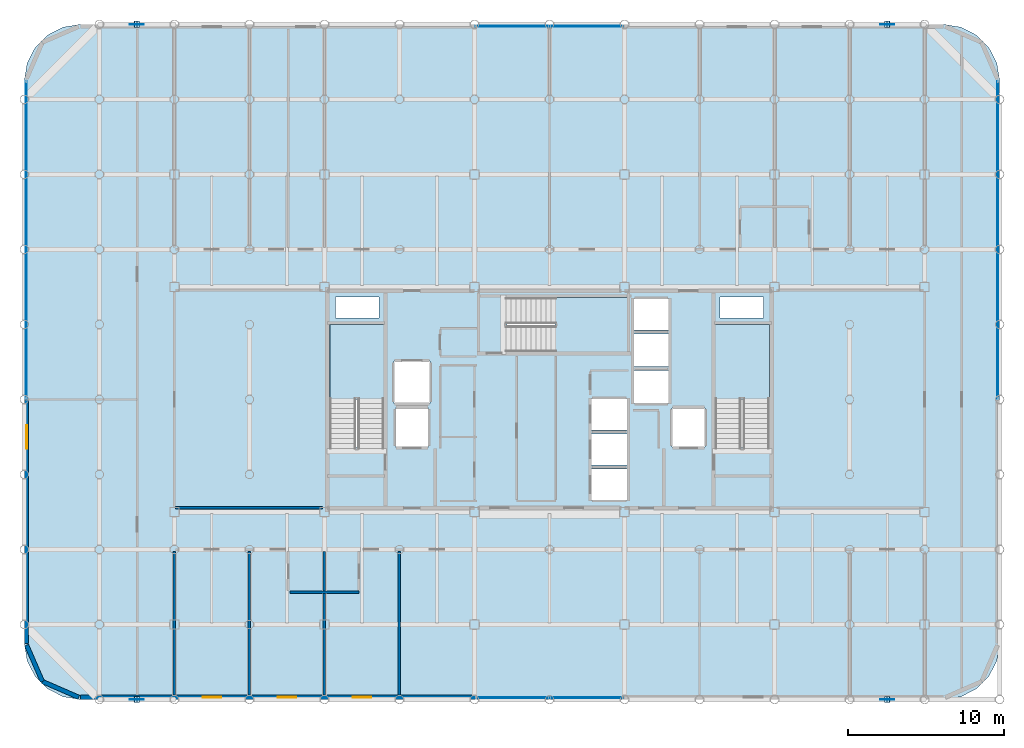
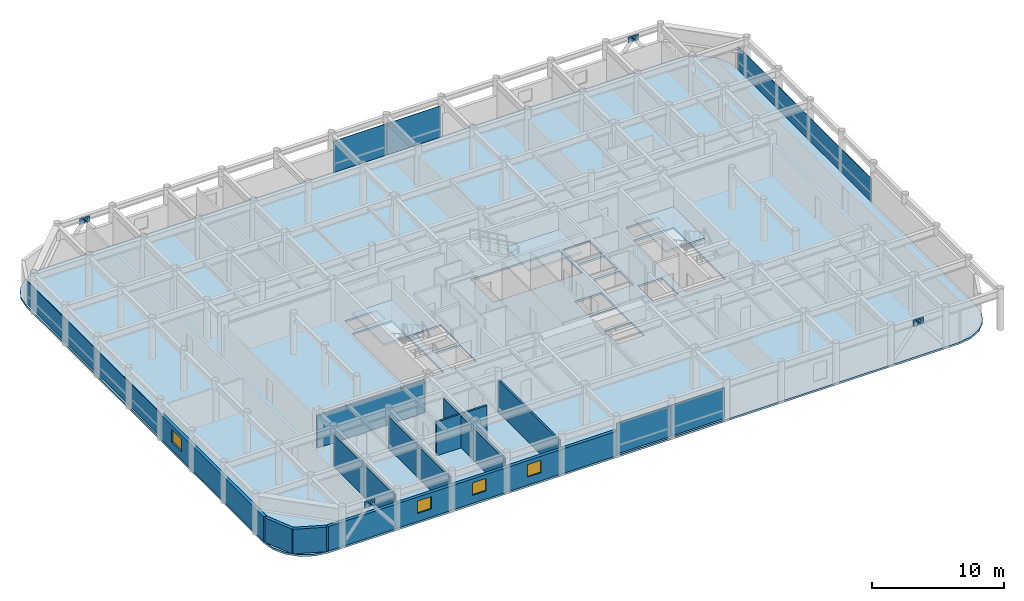
# One storey, part 17 of 22: 18 plates, 10 walls, 4 slabs, 4 windows, 4 openings, 7 elements without a shape of their own.
"""IFC4 building model written with IfcOpenShell, lengths in metres."""

from ifc_helpers import new_model, si_unit, direction, frame, frame_2d, origin, origin_2d, place, context, subcontext, project, spatial, polyline, rectangle, outline, extrude, material, layer, layer_set, type_object, element, fill, aggregate, save


model = new_model("IFC4")

# Units and contexts
model_context = context("Model", 3, precision=1e-05, world=origin(), true_north=direction((0.0, 1.0)))
body_context = subcontext(model_context, "Body", "Model", "MODEL_VIEW")
ifc_project = project(units=[si_unit("LENGTHUNIT", "METRE"), si_unit("AREAUNIT", "SQUARE_METRE"), si_unit("VOLUMEUNIT", "CUBIC_METRE"), si_unit("PLANEANGLEUNIT", "RADIAN"), si_unit("MASSUNIT", "GRAM", prefix="KILO")], contexts=[model_context])

# Site, building, storey
site_placement = place(None, origin())
site = spatial("IfcSite", under=ifc_project, at=site_placement, CompositionType="ELEMENT")
building_placement = place(site_placement, origin())
building = spatial("IfcBuilding", under=site, at=building_placement, Name="Kallvorn Hotel Tower", CompositionType="ELEMENT")
storey_placement = place(building_placement, frame((0.0, 0.0, 260.800048828125)))
storey = spatial("IfcBuildingStorey", under=building, at=storey_placement, Name="L65", CompositionType="ELEMENT", Elevation=260.800048828125)

# Curtain wall, plates
ifc_material_1 = material(Name="Thermally broken black-anodised aluminium AA 6063-T6", Category="aluminium")
ifc_layer_1 = layer(ifc_material_1, 0.22998046875)
ifc_layer_set_1 = layer_set([ifc_layer_1], Name="CW_SYS_5_HOTEL_HIGH")
curtain_wall_type = type_object("IfcCurtainWallType", Name="CW_SYS_5_HOTEL_HIGH", PredefinedType="USERDEFINED", material=ifc_layer_set_1)
curtain_wall_1_placement = place(storey_placement, origin())
curtain_wall_1 = element("IfcCurtainWall", 1, at=curtain_wall_1_placement, inside=storey, type_object=curtain_wall_type, Name="L65 Dark-Glass Curtain Wall CW-L65-SC", ObjectType="UNITISED CURTAIN WALL", PredefinedType="USERDEFINED")
ifc_material_2 = material(Name="Triple-glazed low-e acoustic solar-control dark glass", Category="glass")
ifc_layer_2 = layer(ifc_material_2, 0.04150390625)
ifc_layer_set_2 = layer_set([ifc_layer_2], Name="CW_SYS_5_HOTEL_HIGH_PANEL")
plate_type_1 = type_object("IfcPlateType", Name="CW_SYS_5_HOTEL_HIGH_PANEL", PredefinedType="CURTAIN_PANEL", material=ifc_layer_set_2)
plate_1_placement = place(storey_placement, frame((-2.375, -19.080078125, 0.059814453125), z_axis=(0.0, 0.0, 1.0), x_axis=(1.0, 0.0, 0.0)))
plate_1 = element("IfcPlate", 2, at=plate_1_placement, type_object=plate_type_1, Name="CW-L65-SC Vision Glass Panel 00", PredefinedType="CURTAIN_PANEL", context=body_context, shape_type="SweptSolid", body=[
    extrude(rectangle(XDim=4.68994140625, YDim=0.04150390625, at=origin_2d()), origin(), (0.0, 0.0, 1.0), 2.85009765625),
])
plate_2_placement = place(storey_placement, frame((2.375, -19.080078125, 0.059814453125), z_axis=(0.0, 0.0, 1.0), x_axis=(1.0, 0.0, 0.0)))
plate_2 = element("IfcPlate", 3, at=plate_2_placement, type_object=plate_type_1, Name="CW-L65-SC Vision Glass Panel 01", PredefinedType="CURTAIN_PANEL", context=body_context, shape_type="SweptSolid", body=[
    extrude(rectangle(XDim=4.68994140625, YDim=0.04150390625, at=origin_2d()), origin(), (0.0, 0.0, 1.0), 2.85009765625),
])
aggregate(curtain_wall_1, [plate_1, plate_2])

curtain_wall_2_placement = place(storey_placement, origin())
curtain_wall_2 = element("IfcCurtainWall", 4, at=curtain_wall_2_placement, inside=storey, type_object=curtain_wall_type, Name="L65 Dark-Glass Curtain Wall CW-L65-NC", ObjectType="UNITISED CURTAIN WALL", PredefinedType="USERDEFINED")
plate_3_placement = place(storey_placement, frame((-2.375, 23.8798828125, 0.06005859375), z_axis=(0.0, 0.0, 1.0), x_axis=(1.0, 0.0, 0.0)))
plate_3 = element("IfcPlate", 5, at=plate_3_placement, type_object=plate_type_1, Name="CW-L65-NC Vision Glass Panel 00", PredefinedType="CURTAIN_PANEL", context=body_context, shape_type="SweptSolid", body=[
    extrude(rectangle(XDim=4.68994140625, YDim=0.04150390625, at=origin_2d()), origin(), (0.0, 0.0, 1.0), 2.89990234375),
])
plate_4_placement = place(storey_placement, frame((2.375, 23.8798828125, 0.06005859375), z_axis=(0.0, 0.0, 1.0), x_axis=(1.0, 0.0, 0.0)))
plate_4 = element("IfcPlate", 6, at=plate_4_placement, type_object=plate_type_1, Name="CW-L65-NC Vision Glass Panel 01", PredefinedType="CURTAIN_PANEL", context=body_context, shape_type="SweptSolid", body=[
    extrude(rectangle(XDim=4.68994140625, YDim=0.04150390625, at=origin_2d()), origin(), (0.0, 0.0, 1.0), 2.89990234375),
])
aggregate(curtain_wall_2, [plate_3, plate_4])

# Curtain wall, plate
curtain_wall_3_placement = place(storey_placement, origin())
curtain_wall_3 = element("IfcCurtainWall", 7, at=curtain_wall_3_placement, inside=storey, type_object=curtain_wall_type, Name="L65 Dark-Glass Curtain Wall CW-L65-WN", ObjectType="UNITISED CURTAIN WALL", PredefinedType="USERDEFINED")
plate_5_placement = place(storey_placement, frame((-33.47998046875, 10.2099609375, 0.06005859375), z_axis=(0.0, 0.0, 1.0), x_axis=(0.0, 1.0, 0.0)))
plate_5 = element("IfcPlate", 8, at=plate_5_placement, type_object=plate_type_1, Name="CW-L65-WN Vision Glass Panel 00", PredefinedType="CURTAIN_PANEL", context=body_context, shape_type="SweptSolid", body=[
    extrude(rectangle(XDim=20.320068359375, YDim=0.04150390625, at=origin_2d()), origin(), (0.0, 0.0, 1.0), 2.14990234375),
])
aggregate(curtain_wall_3, [plate_5])

curtain_wall_4_placement = place(storey_placement, origin())
curtain_wall_4 = element("IfcCurtainWall", 9, at=curtain_wall_4_placement, inside=storey, type_object=curtain_wall_type, Name="L65 Dark-Glass Curtain Wall CW-L65-EN", ObjectType="UNITISED CURTAIN WALL", PredefinedType="USERDEFINED")
plate_6_placement = place(storey_placement, frame((28.679931640625, 10.2099609375, 0.06005859375), z_axis=(0.0, 0.0, 1.0), x_axis=(0.0, 1.0, 0.0)))
plate_6 = element("IfcPlate", 10, at=plate_6_placement, type_object=plate_type_1, Name="CW-L65-EN Vision Glass Panel 00", PredefinedType="CURTAIN_PANEL", context=body_context, shape_type="SweptSolid", body=[
    extrude(rectangle(XDim=20.320068359375, YDim=0.04150390625, at=origin_2d()), origin(), (0.0, 0.0, 1.0), 2.14990234375),
])
aggregate(curtain_wall_4, [plate_6])

# Plates
ifc_material_3 = material(Name="Structural steel S355JR", Category="steel")
ifc_layer_3 = layer(ifc_material_3, 0.030029296875)
ifc_layer_set_3 = layer_set([ifc_layer_3], Name="PLT_CAP_30")
plate_type_2 = type_object("IfcPlateType", Name="PLT_CAP_30", PredefinedType="SHEET", material=ifc_layer_set_3)
plate_7_placement = place(storey_placement, frame((-26.235595703125, -19.40185546875, 3.09228515625), z_axis=(0.621445895256, 0.0, 0.783457081957), x_axis=(0.0, 1.0, 0.0)))
element("IfcPlate", 11, at=plate_7_placement, inside=storey, type_object=plate_type_2, Name="EXO-L65-S1A End Cap Plate B", PredefinedType="SHEET", context=body_context, shape_type="SweptSolid", body=[
    extrude(outline(polyline([(0.0, 0.0), (0.40380859375, 0.0), (0.40380859375, 0.40385907190922293), (0.0, 0.40385907190922293), (0.0, 0.0)])), origin(), (0.0, 0.0, -1.0), 0.030029296875),
])
plate_8_placement = place(storey_placement, frame((-26.564453125, -18.998046875, 3.09228515625), z_axis=(-0.621151664719, 0.0, 0.783690378541), x_axis=(0.0, -1.0, 0.0)))
element("IfcPlate", 12, at=plate_8_placement, inside=storey, type_object=plate_type_2, Name="EXO-L65-S1B End Cap Plate B", PredefinedType="SHEET", context=body_context, shape_type="SweptSolid", body=[
    extrude(outline(polyline([(0.0, 0.0), (0.40380859375, 0.0), (0.40380859375, 0.4040503740962029), (0.0, 0.4040503740962029), (0.0, 0.0)])), origin(), (0.0, 0.0, -1.0), 0.030029296875),
])
plate_9_placement = place(storey_placement, frame((21.764404296875, -19.40185546875, 3.09228515625), z_axis=(0.621445895256, 0.0, 0.783457081957), x_axis=(0.0, 1.0, 0.0)))
element("IfcPlate", 13, at=plate_9_placement, inside=storey, type_object=plate_type_2, Name="EXO-L65-S2A End Cap Plate B", PredefinedType="SHEET", context=body_context, shape_type="SweptSolid", body=[
    extrude(outline(polyline([(0.0, 0.0), (0.40380859375, 0.0), (0.40380859375, 0.40385907190922293), (0.0, 0.40385907190922293), (0.0, 0.0)])), origin(), (0.0, 0.0, -1.0), 0.030029296875),
])
plate_10_placement = place(storey_placement, frame((21.435546875, -18.998046875, 3.09228515625), z_axis=(-0.621151664719, 0.0, 0.783690378541), x_axis=(0.0, -1.0, 0.0)))
element("IfcPlate", 14, at=plate_10_placement, inside=storey, type_object=plate_type_2, Name="EXO-L65-S2B End Cap Plate B", PredefinedType="SHEET", context=body_context, shape_type="SweptSolid", body=[
    extrude(outline(polyline([(0.0, 0.0), (0.40380859375, 0.0), (0.40380859375, 0.4040503740962029), (0.0, 0.4040503740962029), (0.0, 0.0)])), origin(), (0.0, 0.0, -1.0), 0.030029296875),
])
plate_11_placement = place(storey_placement, frame((-26.235595703125, 23.798095703125, 3.09228515625), z_axis=(0.621445895256, 0.0, 0.783457081957), x_axis=(0.0, 1.0, 0.0)))
element("IfcPlate", 15, at=plate_11_placement, inside=storey, type_object=plate_type_2, Name="EXO-L65-N1A End Cap Plate B", PredefinedType="SHEET", context=body_context, shape_type="SweptSolid", body=[
    extrude(outline(polyline([(0.0, 0.0), (0.40380859375, 0.0), (0.40380859375, 0.40385907190922293), (0.0, 0.40385907190922293), (0.0, 0.0)])), origin(), (0.0, 0.0, -1.0), 0.030029296875),
])
plate_12_placement = place(storey_placement, frame((-26.564453125, 24.201904296875, 3.09228515625), z_axis=(-0.621151664719, 0.0, 0.783690378541), x_axis=(0.0, -1.0, 0.0)))
element("IfcPlate", 16, at=plate_12_placement, inside=storey, type_object=plate_type_2, Name="EXO-L65-N1B End Cap Plate B", PredefinedType="SHEET", context=body_context, shape_type="SweptSolid", body=[
    extrude(outline(polyline([(0.0, 0.0), (0.40380859375, 0.0), (0.40380859375, 0.4040503740962029), (0.0, 0.4040503740962029), (0.0, 0.0)])), origin(), (0.0, 0.0, -1.0), 0.030029296875),
])
plate_13_placement = place(storey_placement, frame((21.764404296875, 23.798095703125, 3.09228515625), z_axis=(0.621445895256, 0.0, 0.783457081957), x_axis=(0.0, 1.0, 0.0)))
element("IfcPlate", 17, at=plate_13_placement, inside=storey, type_object=plate_type_2, Name="EXO-L65-N2A End Cap Plate B", PredefinedType="SHEET", context=body_context, shape_type="SweptSolid", body=[
    extrude(outline(polyline([(0.0, 0.0), (0.40380859375, 0.0), (0.40380859375, 0.40385907190922293), (0.0, 0.40385907190922293), (0.0, 0.0)])), origin(), (0.0, 0.0, -1.0), 0.030029296875),
])
plate_14_placement = place(storey_placement, frame((21.435546875, 24.201904296875, 3.09228515625), z_axis=(-0.621151664719, 0.0, 0.783690378541), x_axis=(0.0, -1.0, 0.0)))
element("IfcPlate", 18, at=plate_14_placement, inside=storey, type_object=plate_type_2, Name="EXO-L65-N2B End Cap Plate B", PredefinedType="SHEET", context=body_context, shape_type="SweptSolid", body=[
    extrude(outline(polyline([(0.0, 0.0), (0.40380859375, 0.0), (0.40380859375, 0.4040503740962029), (0.0, 0.4040503740962029), (0.0, 0.0)])), origin(), (0.0, 0.0, -1.0), 0.030029296875),
])
ifc_material_4 = material(Name="Structural steel S355JR", Category="steel")
ifc_layer_4 = layer(ifc_material_4, 0.034912109375)
ifc_layer_set_4 = layer_set([ifc_layer_4], Name="PLT_GUSSET_35")
plate_type_3 = type_object("IfcPlateType", Name="PLT_GUSSET_35", PredefinedType="USERDEFINED", material=ifc_layer_set_4)
for number, where, z_axis, x_axis, name in (
    (19, (-26.39990234375, -19.199951171875, 2.889892578125), (0.0, 0.0, 1.0), (1.0, 0.0, 0.0), "L65 Exoskeleton Node Gusset S1"),
    (20, (21.60009765625, -19.199951171875, 2.889892578125), (0.0, 0.0, 1.0), (1.0, 0.0, 0.0), "L65 Exoskeleton Node Gusset S2"),
    (21, (-26.39990234375, 24.0, 2.889892578125), (0.0, 0.0, 1.0), (1.0, 0.0, 0.0), "L65 Exoskeleton Node Gusset N1"),
    (22, (21.60009765625, 24.0, 2.889892578125), (0.0, 0.0, 1.0), (1.0, 0.0, 0.0), "L65 Exoskeleton Node Gusset N2"),
):
    element("IfcPlate", number, at=place(storey_placement, frame(where, z_axis=z_axis, x_axis=x_axis)), inside=storey, type_object=plate_type_3, Name=name, ObjectType="GUSSET PLATE", PredefinedType="USERDEFINED", context=body_context, shape_type="SweptSolid", body=[
        extrude(rectangle(XDim=0.89990234375, YDim=0.034912109375, at=origin_2d()), origin(), (0.0, 0.0, 1.0), 0.56005859375),
    ])

# Stair, slab
ifc_material_5 = material(Name="Precast concrete C40/50", Category="concrete")
stair_type = type_object("IfcStairType", Name="STR_CORE_DOGLEG", PredefinedType="HALF_TURN_STAIR", material=ifc_material_5)
stair_1_placement = place(storey_placement, origin())
stair_1 = element("IfcStair", 23, at=stair_1_placement, inside=storey, type_object=stair_type, Name="L65 Exit stair ST1", PredefinedType="HALF_TURN_STAIR")
ifc_material_6 = material(Name="Precast concrete C40/50", Category="concrete")
ifc_layer_5 = layer(ifc_material_6, 0.179931640625)
ifc_layer_set_5 = layer_set([ifc_layer_5], Name="SLB_LANDING_180")
slab_type_1 = type_object("IfcSlabType", Name="SLB_LANDING_180", PredefinedType="LANDING", material=ifc_layer_set_5)
slab_1_placement = place(storey_placement, frame((0.0, 0.0, 1.724853515625)))
slab_1 = element("IfcSlab", 24, at=slab_1_placement, type_object=slab_type_1, Name="ST1 landing 1", PredefinedType="LANDING", context=body_context, shape_type="SweptSolid", body=[
    extrude(outline(polyline([(-10.60009765625, 0.010009765625), (-10.60009765625, 4.800048828125), (-14.06005859375, 4.800048828125), (-14.06005859375, 0.010009765625), (-10.60009765625, 0.010009765625)])), origin(), (0.0, 0.0, 1.0), 0.2001953125),
])
aggregate(stair_1, [slab_1])

stair_2_placement = place(storey_placement, origin())
stair_2 = element("IfcStair", 25, at=stair_2_placement, inside=storey, type_object=stair_type, Name="L65 Exit stair ST2", PredefinedType="HALF_TURN_STAIR")
slab_2_placement = place(storey_placement, frame((0.0, 0.0, 1.724853515625)))
slab_2 = element("IfcSlab", 26, at=slab_2_placement, type_object=slab_type_1, Name="ST2 landing 1", PredefinedType="LANDING", context=body_context, shape_type="SweptSolid", body=[
    extrude(outline(polyline([(14.06005859375, 0.010009765625), (14.06005859375, 4.800048828125), (10.60009765625, 4.800048828125), (10.60009765625, 0.010009765625), (14.06005859375, 0.010009765625)])), origin(), (0.0, 0.0, 1.0), 0.2001953125),
])
aggregate(stair_2, [slab_2])

stair_3_placement = place(storey_placement, origin())
stair_3 = element("IfcStair", 27, at=stair_3_placement, inside=storey, type_object=stair_type, Name="L65 Exit stair ST3", PredefinedType="HALF_TURN_STAIR")
slab_3_placement = place(storey_placement, frame((0.0, 0.0, 1.724853515625)))
slab_3 = element("IfcSlab", 28, at=slab_3_placement, type_object=slab_type_1, Name="ST3 landing 1", PredefinedType="LANDING", context=body_context, shape_type="SweptSolid", body=[
    extrude(outline(polyline([(0.360107421875, 3.050048828125), (5.050048828125, 3.050048828125), (5.050048828125, 6.510009765625), (0.360107421875, 6.510009765625), (0.360107421875, 3.050048828125)])), origin(), (0.0, 0.0, 1.0), 0.2001953125),
])
aggregate(stair_3, [slab_3])

# Slab
ifc_material_7 = material(Name="Concrete C40/50", Category="concrete")
ifc_layer_6 = layer(ifc_material_7, 0.179931640625)
ifc_layer_set_6 = layer_set([ifc_layer_6], Name="SLB_TOWER_180")
slab_type_2 = type_object("IfcSlabType", Name="SLB_TOWER_180", PredefinedType="FLOOR", material=ifc_layer_set_6)
slab_4_placement = place(storey_placement, frame((0.0, 0.0, -0.179931640625)))
element("IfcSlab", 29, at=slab_4_placement, inside=storey, type_object=slab_type_2, Name="L65 Structural Floor Slab", PredefinedType="FLOOR", context=body_context, shape_type="SweptSolid", body=[
    extrude(outline(polyline([(25.199951171875, -19.199951171875), (26.3125, -19.023681640625), (27.31591796875, -18.512451171875), (28.112548828125, -17.716064453125), (28.623779296875, -16.71240234375), (28.800048828125, -15.60009765625), (28.800048828125, 20.39990234375), (28.623779296875, 21.512451171875), (28.112548828125, 22.51611328125), (27.31591796875, 23.3125), (26.3125, 23.82373046875), (25.199951171875, 24.0), (-30.0, 24.0), (-31.112548828125, 23.82373046875), (-32.115966796875, 23.3125), (-32.91259765625, 22.51611328125), (-33.423828125, 21.512451171875), (-33.60009765625, 20.39990234375), (-33.60009765625, -15.60009765625), (-33.423828125, -16.71240234375), (-32.91259765625, -17.716064453125), (-32.115966796875, -18.512451171875), (-31.112548828125, -19.023681640625), (-30.0, -19.199951171875), (25.199951171875, -19.199951171875)]), holes=[polyline([(-10.60009765625, -3.070068359375), (-10.60009765625, 4.800048828125), (-14.06005859375, 4.800048828125), (-14.06005859375, -3.070068359375), (-10.60009765625, -3.070068359375)]), polyline([(14.06005859375, -3.070068359375), (14.06005859375, 4.800048828125), (10.60009765625, 4.800048828125), (10.60009765625, -3.070068359375), (14.06005859375, -3.070068359375)]), polyline([(-2.719970703125, 3.050048828125), (5.050048828125, 3.050048828125), (5.050048828125, 6.510009765625), (-2.719970703125, 6.510009765625), (-2.719970703125, 3.050048828125)]), polyline([(2.64990234375, -6.449951171875), (5.0, -6.449951171875), (5.0, -4.449951171875), (2.64990234375, -4.449951171875), (2.64990234375, -6.449951171875)]), polyline([(2.64990234375, -4.199951171875), (5.0, -4.199951171875), (5.0, -2.199951171875), (2.64990234375, -2.199951171875), (2.64990234375, -4.199951171875)]), polyline([(2.64990234375, -1.949951171875), (5.0, -1.949951171875), (5.0, 0.050048828125), (2.64990234375, 0.050048828125), (2.64990234375, -1.949951171875)]), polyline([(5.35009765625, -0.25), (7.64990234375, -0.25), (7.64990234375, 1.85009765625), (5.35009765625, 1.85009765625), (5.35009765625, -0.25)]), polyline([(5.35009765625, 2.10009765625), (7.64990234375, 2.10009765625), (7.64990234375, 4.199951171875), (5.35009765625, 4.199951171875), (5.35009765625, 2.10009765625)]), polyline([(5.35009765625, 4.449951171875), (7.64990234375, 4.449951171875), (7.64990234375, 6.449951171875), (5.35009765625, 6.449951171875), (5.35009765625, 4.449951171875)]), polyline([(-9.85009765625, -3.050048828125), (-7.75, -3.050048828125), (-7.75, -0.550048828125), (-9.85009765625, -0.550048828125), (-9.85009765625, -3.050048828125)]), polyline([(7.85009765625, -3.050048828125), (9.949951171875, -3.050048828125), (9.949951171875, -0.550048828125), (7.85009765625, -0.550048828125), (7.85009765625, -3.050048828125)]), polyline([(-9.949951171875, -0.25), (-7.64990234375, -0.25), (-7.64990234375, 2.449951171875), (-9.949951171875, 2.449951171875), (-9.949951171875, -0.25)]), polyline([(-13.699951171875, 5.199951171875), (-10.89990234375, 5.199951171875), (-10.89990234375, 6.550048828125), (-13.699951171875, 6.550048828125), (-13.699951171875, 5.199951171875)]), polyline([(10.89990234375, 5.199951171875), (13.699951171875, 5.199951171875), (13.699951171875, 6.550048828125), (10.89990234375, 6.550048828125), (10.89990234375, 5.199951171875)])]), origin(), (0.0, 0.0, 1.0), 0.179931640625),
])

# Walls
ifc_material_8 = material(Name="Fire-rated double-layer acoustic gypsum drywall EI 60")
ifc_layer_7 = layer(ifc_material_8, 0.159912109375)
ifc_layer_set_7 = layer_set([ifc_layer_7], Name="WL_DEMISE_160")
wall_type_1 = type_object("IfcWallType", Name="WL_DEMISE_160", PredefinedType="PARTITIONING", material=ifc_layer_set_7)
wall_1_placement = place(storey_placement, frame((-16.610107421875, -12.320068359375, 0.0), z_axis=(0.0, 0.0, 1.0), x_axis=(1.0, 0.0, 0.0)))
element("IfcWall", 30, at=wall_1_placement, inside=storey, type_object=wall_type_1, Name="L65 Suite 6501 Superior Twin Room Partition", PredefinedType="PARTITIONING", context=body_context, shape_type="SweptSolid", body=[
    extrude(rectangle(XDim=4.420166015625, YDim=0.159912109375, at=frame_2d((2.2099609375, 0.0))), origin(), (0.0, 0.0, 1.0), 3.119873046875),
])
for number, where, z_axis, x_axis, name in (
    (31, (-19.199951171875, -18.909912109375, 0.0), (0.0, 0.0, 1.0), (0.0, 1.0, 0.0), "L65 Suite 6501 Superior Twin Room Partition"),
    (32, (-14.39990234375, -18.909912109375, 0.0), (0.0, 0.0, 1.0), (0.0, 1.0, 0.0), "L65 Suite 6501 Superior Twin Room Partition"),
    (33, (-9.60009765625, -18.909912109375, 0.0), (0.0, 0.0, 1.0), (0.0, 1.0, 0.0), "L65 Suite 6502 Superior Twin Room Partition"),
):
    element("IfcWall", number, at=place(storey_placement, frame(where, z_axis=z_axis, x_axis=x_axis)), inside=storey, type_object=wall_type_1, Name=name, PredefinedType="PARTITIONING", context=body_context, shape_type="SweptSolid", body=[
        extrude(rectangle(XDim=9.18994140625, YDim=0.159912109375, at=frame_2d((4.594970703125, 0.0))), origin(), (0.0, 0.0, 1.0), 2.969970703125),
    ])
ifc_material_9 = material(Name="Precast basalt-clad insulated concrete wall C40/50", Category="masonry")
ifc_layer_8 = layer(ifc_material_9, 0.280029296875)
ifc_layer_set_8 = layer_set([ifc_layer_8], Name="WL_EXT_LOGGIA_280")
wall_type_2 = type_object("IfcWallType", Name="WL_EXT_LOGGIA_280", PredefinedType="SOLIDWALL", material=ifc_layer_set_8)
wall_2_placement = place(storey_placement, frame((-33.4580078125, -15.720703125, 0.0), z_axis=(0.0, 0.0, 1.0), x_axis=(0.398792985289, -0.917040977756, 0.0)))
element("IfcWall", 34, at=wall_2_placement, inside=storey, type_object=wall_type_2, Name="L65 Rounded Corner Exterior Wall SW1", PredefinedType="SOLIDWALL", context=body_context, shape_type="SweptSolid", body=[
    extrude(rectangle(XDim=2.536376953125, YDim=0.280029296875, at=frame_2d((1.26806640625, 0.0))), origin(), (0.0, 0.0, 1.0), 2.27001953125),
])
wall_3_placement = place(storey_placement, frame((-32.446533203125, -18.046630859375, 0.0), z_axis=(0.0, 0.0, 1.0), x_axis=(0.917060872934, -0.398747232384, 0.0)))
element("IfcWall", 35, at=wall_3_placement, inside=storey, type_object=wall_type_2, Name="L65 Rounded Corner Exterior Wall SW2", PredefinedType="SOLIDWALL", context=body_context, shape_type="SweptSolid", body=[
    extrude(rectangle(XDim=2.5361328125, YDim=0.280029296875, at=frame_2d((1.26806640625, 0.0))), origin(), (0.0, 0.0, 1.0), 2.27001953125),
])

# Wall, openings, windows
wall_4_placement = place(storey_placement, frame((-30.0, -19.06005859375, 0.0), z_axis=(0.0, 0.0, 1.0), x_axis=(1.0, 0.0, 0.0)))
wall_4 = element("IfcWall", 36, at=wall_4_placement, inside=storey, type_object=wall_type_2, Name="L65 Exterior Envelope Wall EW-L65-SW", PredefinedType="SOLIDWALL", context=body_context, shape_type="SweptSolid", body=[
    extrude(rectangle(XDim=25.25, YDim=0.280029296875, at=frame_2d((12.625, 0.0))), origin(), (0.0, 0.0, 1.0), 2.27001953125),
])
opening_1_placement = place(wall_4_placement, frame((7.800048828125, 0.0, 0.75)))
opening_1 = element("IfcOpeningElement", 37, at=opening_1_placement, cuts=wall_4, Name="Opening W06A", PredefinedType="OPENING", context=body_context, shape_type="SweptSolid", body=[
    extrude(rectangle(XDim=1.199951171875, YDim=1.14990234375, at=frame_2d((0.60009765625, 0.574951171875))), frame((0.0, 0.155029296875, 0.0), z_axis=(0.0, -1.0, 0.0), x_axis=(1.0, 0.0, 0.0)), (0.0, 0.0, 1.0), 0.31005859375),
])
opening_2_placement = place(wall_4_placement, frame((12.60009765625, 0.0, 0.75)))
opening_2 = element("IfcOpeningElement", 38, at=opening_2_placement, cuts=wall_4, Name="Opening W06A", PredefinedType="OPENING", context=body_context, shape_type="SweptSolid", body=[
    extrude(rectangle(XDim=1.199951171875, YDim=1.14990234375, at=frame_2d((0.60009765625, 0.574951171875))), frame((0.0, 0.155029296875, 0.0), z_axis=(0.0, -1.0, 0.0), x_axis=(1.0, 0.0, 0.0)), (0.0, 0.0, 1.0), 0.31005859375),
])
opening_3_placement = place(wall_4_placement, frame((17.39990234375, 0.0, 0.75)))
opening_3 = element("IfcOpeningElement", 39, at=opening_3_placement, cuts=wall_4, Name="Opening W06A", PredefinedType="OPENING", context=body_context, shape_type="SweptSolid", body=[
    extrude(rectangle(XDim=1.199951171875, YDim=1.14990234375, at=frame_2d((0.60009765625, 0.574951171875))), frame((0.0, 0.155029296875, 0.0), z_axis=(0.0, -1.0, 0.0), x_axis=(1.0, 0.0, 0.0)), (0.0, 0.0, 1.0), 0.31005859375),
])
ifc_material_10 = material(Name="Triple-glazed low-e acoustic solar-control dark glass", Category="glass")
window_type_1 = type_object("IfcWindowType", Name="WN_HTL_1200x1150", PartitioningType="SINGLE_PANEL", PredefinedType="WINDOW", material=ifc_material_10)
window_1_placement = place(opening_1_placement, origin())
window_1 = element("IfcWindow", 40, at=window_1_placement, inside=storey, type_object=window_type_1, Name="L65 Guestroom Exterior Window 01", OverallHeight=1.14990234375, OverallWidth=1.199951171875, PartitioningType="SINGLE_PANEL", PredefinedType="WINDOW", context=body_context, shape_type="SweptSolid", body=[
    extrude(rectangle(XDim=1.199951171875, YDim=1.14990234375, at=frame_2d((0.60009765625, 0.574951171875))), frame((0.0, 0.030029296875, 0.0), z_axis=(0.0, -1.0, 0.0), x_axis=(1.0, 0.0, 0.0)), (0.0, 0.0, 1.0), 0.06005859375),
])
fill(opening_1, window_1)
window_2_placement = place(opening_2_placement, origin())
window_2 = element("IfcWindow", 41, at=window_2_placement, inside=storey, type_object=window_type_1, Name="L65 Guestroom Exterior Window 04", OverallHeight=1.14990234375, OverallWidth=1.199951171875, PartitioningType="SINGLE_PANEL", PredefinedType="WINDOW", context=body_context, shape_type="SweptSolid", body=[
    extrude(rectangle(XDim=1.199951171875, YDim=1.14990234375, at=frame_2d((0.60009765625, 0.574951171875))), frame((0.0, 0.030029296875, 0.0), z_axis=(0.0, -1.0, 0.0), x_axis=(1.0, 0.0, 0.0)), (0.0, 0.0, 1.0), 0.06005859375),
])
fill(opening_2, window_2)
window_3_placement = place(opening_3_placement, origin())
window_3 = element("IfcWindow", 42, at=window_3_placement, inside=storey, type_object=window_type_1, Name="L65 Guestroom Exterior Window 05", OverallHeight=1.14990234375, OverallWidth=1.199951171875, PartitioningType="SINGLE_PANEL", PredefinedType="WINDOW", context=body_context, shape_type="SweptSolid", body=[
    extrude(rectangle(XDim=1.199951171875, YDim=1.14990234375, at=frame_2d((0.60009765625, 0.574951171875))), frame((0.0, 0.030029296875, 0.0), z_axis=(0.0, -1.0, 0.0), x_axis=(1.0, 0.0, 0.0)), (0.0, 0.0, 1.0), 0.06005859375),
])
fill(opening_3, window_3)

# Wall, opening, window
wall_5_placement = place(storey_placement, frame((-33.4599609375, -15.60009765625, 0.0), z_axis=(0.0, 0.0, 1.0), x_axis=(0.0, 1.0, 0.0)))
wall_5 = element("IfcWall", 43, at=wall_5_placement, inside=storey, type_object=wall_type_2, Name="L65 Exterior Envelope Wall EW-L65-WS", PredefinedType="SOLIDWALL", context=body_context, shape_type="SweptSolid", body=[
    extrude(rectangle(XDim=15.580078125, YDim=0.280029296875, at=frame_2d((7.7900390625, 0.0))), origin(), (0.0, 0.0, 1.0), 2.27001953125),
])
opening_4_placement = place(wall_5_placement, frame((12.449951171875, 0.0, 0.75)))
opening_4 = element("IfcOpeningElement", 44, at=opening_4_placement, cuts=wall_5, Name="Opening W05A", PredefinedType="OPENING", context=body_context, shape_type="SweptSolid", body=[
    extrude(rectangle(XDim=1.5, YDim=1.14990234375, at=frame_2d((0.75, 0.574951171875))), frame((0.0, 0.155029296875, 0.0), z_axis=(0.0, -1.0, 0.0), x_axis=(1.0, 0.0, 0.0)), (0.0, 0.0, 1.0), 0.31005859375),
])
ifc_material_11 = material(Name="Double-glazed low-e solar-control dark glass", Category="glass")
window_type_2 = type_object("IfcWindowType", Name="WN_HTL_1500x1150", PartitioningType="SINGLE_PANEL", PredefinedType="WINDOW", material=ifc_material_11)
window_4_placement = place(opening_4_placement, origin())
window_4 = element("IfcWindow", 45, at=window_4_placement, inside=storey, type_object=window_type_2, Name="L65 Flank Wing Window 03", OverallHeight=1.14990234375, OverallWidth=1.5, PartitioningType="SINGLE_PANEL", PredefinedType="WINDOW", context=body_context, shape_type="SweptSolid", body=[
    extrude(rectangle(XDim=1.5, YDim=1.14990234375, at=frame_2d((0.75, 0.574951171875))), frame((0.0, 0.030029296875, 0.0), z_axis=(0.0, -1.0, 0.0), x_axis=(1.0, 0.0, 0.0)), (0.0, 0.0, 1.0), 0.06005859375),
])
fill(opening_4, window_4)

# Walls
ifc_material_12 = material(Name="Fire-rated double-layer acoustic gypsum drywall EI 60")
ifc_layer_9 = layer(ifc_material_12, 0.14990234375)
ifc_layer_set_9 = layer_set([ifc_layer_9], Name="WL_PART_150")
wall_type_3 = type_object("IfcWallType", Name="WL_PART_150", PredefinedType="PARTITIONING", material=ifc_layer_set_9)
wall_6_placement = place(storey_placement, frame((-23.919921875, -6.919921875, 0.0), z_axis=(0.0, 0.0, 1.0), x_axis=(1.0, 0.0, 0.0)))
element("IfcWall", 46, at=wall_6_placement, inside=storey, type_object=wall_type_3, Name="L65 L65 High-Zone Inner West Club Bar Partition", PredefinedType="PARTITIONING", context=body_context, shape_type="SweptSolid", body=[
    extrude(rectangle(XDim=9.39990234375, YDim=0.14990234375, at=frame_2d((4.699951171875, 0.0))), origin(), (0.0, 0.0, 1.0), 2.969970703125),
])
wall_7_placement = place(storey_placement, frame((-24.0, -18.909912109375, 0.0), z_axis=(0.0, 0.0, 1.0), x_axis=(0.0, 1.0, 0.0)))
element("IfcWall", 47, at=wall_7_placement, inside=storey, type_object=wall_type_3, Name="L65 L65 High-Zone South-West Tea Bar Partition", PredefinedType="PARTITIONING", context=body_context, shape_type="SweptSolid", body=[
    extrude(rectangle(XDim=9.18994140625, YDim=0.14990234375, at=frame_2d((4.594970703125, 0.0))), origin(), (0.0, 0.0, 1.0), 2.969970703125),
])

save(model, "model.ifc")
